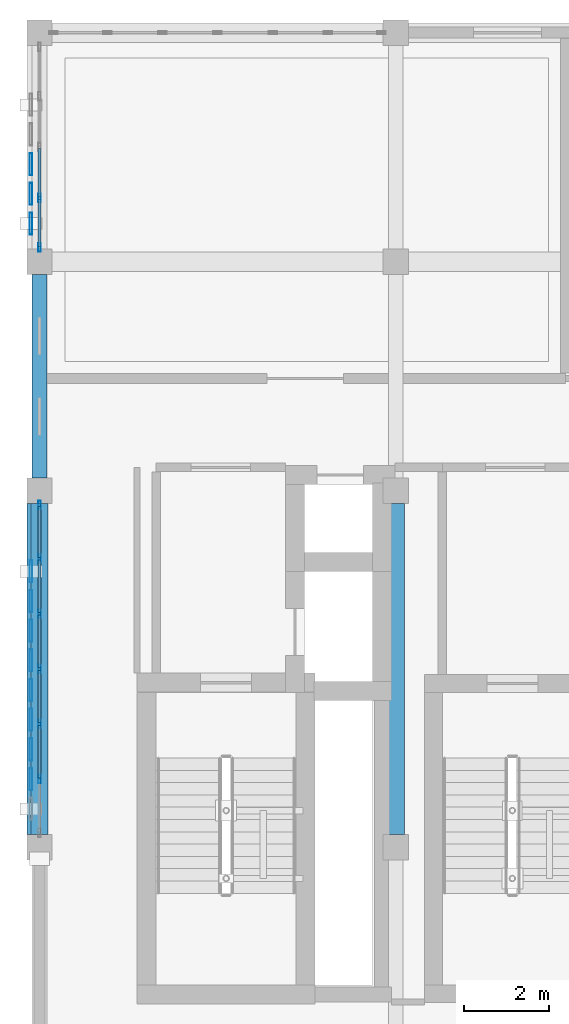
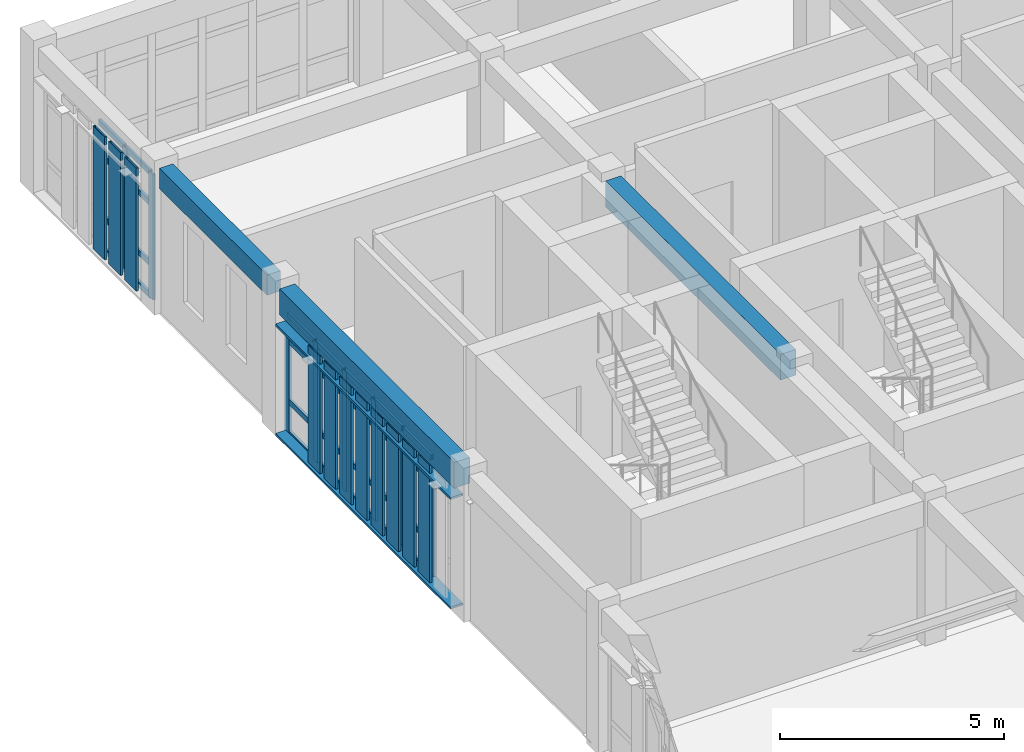
# One storey, part 9 of 21: 49 members, 3 beams, 2 elements without a shape of their own.
"""IFC4 building model written with IfcOpenShell, lengths in metres."""

from ifc_helpers import new_model, si_unit, direction, frame, origin, origin_2d, place, context, subcontext, project, spatial, rectangle, hollow_rectangle, extrude, material, layer, layer_set, material_profile, profile_set, type_object, element, aggregate, save


model = new_model("IFC4")

# Units and contexts
model_context = context("Model", 3, precision=1e-05, world=origin(), true_north=direction((0.0, 1.0)))
body_context = subcontext(model_context, "Body", "Model", "MODEL_VIEW")
ifc_project = project(units=[si_unit("LENGTHUNIT", "METRE"), si_unit("AREAUNIT", "SQUARE_METRE"), si_unit("VOLUMEUNIT", "CUBIC_METRE"), si_unit("PLANEANGLEUNIT", "RADIAN"), si_unit("MASSUNIT", "GRAM", prefix="KILO")], contexts=[model_context])

# Site, building, storey
site_placement = place(None, origin())
site = spatial("IfcSite", under=ifc_project, at=site_placement, CompositionType="ELEMENT")
building_placement = place(site_placement, origin())
building = spatial("IfcBuilding", under=site, at=building_placement, Name="Krzemoval Escarpment Law Courts", CompositionType="ELEMENT")
storey_placement = place(building_placement, frame((0.0, 0.0, 37.800048828125)))
storey = spatial("IfcBuildingStorey", under=building, at=storey_placement, Name="L08", CompositionType="ELEMENT", Elevation=37.800048828125)

# Beams
ifc_material_1 = material(Name="Concrete C40/50", Category="concrete")
ifc_material_profile_1 = material_profile(ifc_material_1, rectangle(XDim=0.35009765625, YDim=0.550048828125, at=origin_2d()), Name="RCB 350x550")
ifc_profile_set_1 = profile_set([ifc_material_profile_1], Name="Concrete C40/50")
beam_type_1 = type_object("IfcBeamType", Name="BM-RC-350x550", PredefinedType="BEAM", material=ifc_profile_set_1)
beam_placement = place(storey_placement, frame((126.0, 108.300048828125, 3.68505859375), z_axis=(0.0, 1.0, 0.0), x_axis=(-1.0, 0.0, 0.0)))
element("IfcBeam", 1, at=beam_placement, inside=storey, type_object=beam_type_1, Name="Beam FG-L08-2762", PredefinedType="BEAM", context=body_context, shape_type="SweptSolid", body=[
    extrude(rectangle(XDim=0.35009765625, YDim=0.550048828125, at=origin_2d()), origin(), (0.0, 0.0, 1.0), 4.800048828125),
])
ifc_material_2 = material(Name="Concrete C40/50", Category="concrete")
ifc_material_profile_2 = material_profile(ifc_material_2, rectangle(XDim=0.39990234375, YDim=0.699951171875, at=origin_2d()), Name="RCB 400x700")
ifc_profile_set_2 = profile_set([ifc_material_profile_2], Name="Concrete C40/50")
beam_type_2 = type_object("IfcBeamType", Name="BM-RC-400x700", PredefinedType="BEAM", material=ifc_profile_set_2)
for number, where, z_axis, x_axis, name in (
    (2, (126.0, 99.89990234375, 3.60986328125), (0.0, 1.0, 0.0), (-1.0, 0.0, 0.0), "Beam FG-L08-2761"),
    (3, (134.39990234375, 99.89990234375, 3.60986328125), (0.0, 1.0, 0.0), (-1.0, 0.0, 0.0), "Beam FG-L08-2766"),
):
    element("IfcBeam", number, at=place(storey_placement, frame(where, z_axis=z_axis, x_axis=x_axis)), inside=storey, type_object=beam_type_2, Name=name, PredefinedType="BEAM", context=body_context, shape_type="SweptSolid", body=[
        extrude(rectangle(XDim=0.39990234375, YDim=0.699951171875, at=origin_2d()), origin(), (0.0, 0.0, 1.0), 7.800048828125),
    ])

# Curtain wall, members
ifc_material_3 = material(Name="Aluminium 6063-T6", Category="aluminium")
ifc_layer = layer(ifc_material_3, 0.219970703125)
ifc_layer_set = layer_set([ifc_layer], Name="Aluminium 6063-T6")
curtain_wall_type = type_object("IfcCurtainWallType", Name="CW-CHMB-4200", PredefinedType="USERDEFINED", material=ifc_layer_set)
curtain_wall_1_placement = place(storey_placement, origin())
curtain_wall_1 = element("IfcCurtainWall", 4, at=curtain_wall_1_placement, inside=storey, type_object=curtain_wall_type, Name="Unitised Curtain Wall FCW-L08-163", ObjectType="UNITISED_CURTAIN_WALL", PredefinedType="USERDEFINED")
ifc_material_4 = material(Name="Aluminium 6063-T6", Category="aluminium")
ifc_material_profile_3 = material_profile(ifc_material_4, hollow_rectangle(XDim=0.06494140625, YDim=0.199951171875, WallThickness=0.00439453125, at=origin_2d()), Name="ALU M65x200")
ifc_profile_set_3 = profile_set([ifc_material_profile_3], Name="Aluminium 6063-T6")
member_type_1 = type_object("IfcMemberType", Name="CWM-65x200", PredefinedType="MULLION", material=ifc_profile_set_3)
member_1_placement = place(storey_placement, frame((126.0, 101.199951171875, 0.0), z_axis=(0.0, 0.0, 1.0), x_axis=(-1.0, 0.0, 0.0)))
member_1 = element("IfcMember", 5, at=member_1_placement, type_object=member_type_1, Name="FCW-L08-163 mullion 2", PredefinedType="MULLION", context=body_context, shape_type="SweptSolid", body=[
    extrude(hollow_rectangle(XDim=0.06494140625, YDim=0.199951171875, WallThickness=0.00439453125, at=origin_2d()), origin(), (0.0, 0.0, 1.0), 3.260009765625),
])
member_2_placement = place(storey_placement, frame((126.0, 102.5, 0.0), z_axis=(0.0, 0.0, 1.0), x_axis=(-1.0, 0.0, 0.0)))
member_2 = element("IfcMember", 6, at=member_2_placement, type_object=member_type_1, Name="FCW-L08-163 mullion 3", PredefinedType="MULLION", context=body_context, shape_type="SweptSolid", body=[
    extrude(hollow_rectangle(XDim=0.06494140625, YDim=0.199951171875, WallThickness=0.00439453125, at=origin_2d()), origin(), (0.0, 0.0, 1.0), 3.260009765625),
])
member_3_placement = place(storey_placement, frame((126.0, 103.800048828125, 0.0), z_axis=(0.0, 0.0, 1.0), x_axis=(-1.0, 0.0, 0.0)))
member_3 = element("IfcMember", 7, at=member_3_placement, type_object=member_type_1, Name="FCW-L08-163 mullion 4", PredefinedType="MULLION", context=body_context, shape_type="SweptSolid", body=[
    extrude(hollow_rectangle(XDim=0.06494140625, YDim=0.199951171875, WallThickness=0.00439453125, at=origin_2d()), origin(), (0.0, 0.0, 1.0), 3.260009765625),
])
member_4_placement = place(storey_placement, frame((126.0, 105.10009765625, 0.0), z_axis=(0.0, 0.0, 1.0), x_axis=(-1.0, 0.0, 0.0)))
member_4 = element("IfcMember", 8, at=member_4_placement, type_object=member_type_1, Name="FCW-L08-163 mullion 5", PredefinedType="MULLION", context=body_context, shape_type="SweptSolid", body=[
    extrude(hollow_rectangle(XDim=0.06494140625, YDim=0.199951171875, WallThickness=0.00439453125, at=origin_2d()), origin(), (0.0, 0.0, 1.0), 3.260009765625),
])
member_5_placement = place(storey_placement, frame((126.0, 106.39990234375, 0.0), z_axis=(0.0, 0.0, 1.0), x_axis=(-1.0, 0.0, 0.0)))
member_5 = element("IfcMember", 9, at=member_5_placement, type_object=member_type_1, Name="FCW-L08-163 mullion 6", PredefinedType="MULLION", context=body_context, shape_type="SweptSolid", body=[
    extrude(hollow_rectangle(XDim=0.06494140625, YDim=0.199951171875, WallThickness=0.00439453125, at=origin_2d()), origin(), (0.0, 0.0, 1.0), 3.260009765625),
])
member_6_placement = place(storey_placement, frame((126.0, 107.66748046875, 0.0), z_axis=(0.0, 0.0, 1.0), x_axis=(-1.0, 0.0, 0.0)))
member_6 = element("IfcMember", 10, at=member_6_placement, type_object=member_type_1, Name="FCW-L08-163 mullion 7", PredefinedType="MULLION", context=body_context, shape_type="SweptSolid", body=[
    extrude(hollow_rectangle(XDim=0.06494140625, YDim=0.199951171875, WallThickness=0.00439453125, at=origin_2d()), origin(), (0.0, 0.0, 1.0), 3.260009765625),
])

curtain_wall_2_placement = place(storey_placement, origin())
curtain_wall_2 = element("IfcCurtainWall", 11, at=curtain_wall_2_placement, inside=storey, type_object=curtain_wall_type, Name="Unitised Curtain Wall FCW-L08-164", ObjectType="UNITISED_CURTAIN_WALL", PredefinedType="USERDEFINED")
member_7_placement = place(storey_placement, frame((126.0, 113.732421875, 0.0), z_axis=(0.0, 0.0, 1.0), x_axis=(-1.0, 0.0, 0.0)))
member_7 = element("IfcMember", 12, at=member_7_placement, type_object=member_type_1, Name="FCW-L08-164 mullion 1", PredefinedType="MULLION", context=body_context, shape_type="SweptSolid", body=[
    extrude(hollow_rectangle(XDim=0.06494140625, YDim=0.199951171875, WallThickness=0.00439453125, at=origin_2d()), origin(), (0.0, 0.0, 1.0), 3.409912109375),
])
member_8_placement = place(storey_placement, frame((126.0, 114.89990234375, 0.0), z_axis=(0.0, 0.0, 1.0), x_axis=(-1.0, 0.0, 0.0)))
member_8 = element("IfcMember", 13, at=member_8_placement, type_object=member_type_1, Name="FCW-L08-164 mullion 2", PredefinedType="MULLION", context=body_context, shape_type="SweptSolid", body=[
    extrude(hollow_rectangle(XDim=0.06494140625, YDim=0.199951171875, WallThickness=0.00439453125, at=origin_2d()), origin(), (0.0, 0.0, 1.0), 3.409912109375),
])

# Member
ifc_material_5 = material(Name="Aluminium 6063-T6", Category="aluminium")
ifc_material_profile_4 = material_profile(ifc_material_5, hollow_rectangle(XDim=0.06494140625, YDim=0.14990234375, WallThickness=0.00439453125, at=origin_2d()), Name="ALU T65x150")
ifc_profile_set_4 = profile_set([ifc_material_profile_4], Name="Aluminium 6063-T6")
member_type_2 = type_object("IfcMemberType", Name="CWT-65x150", PredefinedType="USERDEFINED", material=ifc_profile_set_4)
member_9_placement = place(storey_placement, frame((126.0, 101.232421875, 0.032470703125), z_axis=(0.0, 1.0, 0.0), x_axis=(-1.0, 0.0, 0.0)))
member_9 = element("IfcMember", 14, at=member_9_placement, type_object=member_type_2, Name="FCW-L08-163 transom 2.1", ObjectType="TRANSOM", PredefinedType="USERDEFINED", context=body_context, shape_type="SweptSolid", body=[
    extrude(hollow_rectangle(XDim=0.06494140625, YDim=0.14990234375, WallThickness=0.00439453125, at=origin_2d()), origin(), (0.0, 0.0, 1.0), 1.235107421875),
])

member_10_placement = place(storey_placement, frame((126.0, 101.232421875, 0.89990234375), z_axis=(0.0, 1.0, 0.0), x_axis=(-1.0, 0.0, 0.0)))
member_10 = element("IfcMember", 15, at=member_10_placement, type_object=member_type_2, Name="FCW-L08-163 transom 2.2", ObjectType="TRANSOM", PredefinedType="USERDEFINED", context=body_context, shape_type="SweptSolid", body=[
    extrude(hollow_rectangle(XDim=0.06494140625, YDim=0.14990234375, WallThickness=0.00439453125, at=origin_2d()), origin(), (0.0, 0.0, 1.0), 1.235107421875),
])

member_11_placement = place(storey_placement, frame((126.0, 101.232421875, 2.550048828125), z_axis=(0.0, 1.0, 0.0), x_axis=(-1.0, 0.0, 0.0)))
member_11 = element("IfcMember", 16, at=member_11_placement, type_object=member_type_2, Name="FCW-L08-163 transom 2.3", ObjectType="TRANSOM", PredefinedType="USERDEFINED", context=body_context, shape_type="SweptSolid", body=[
    extrude(hollow_rectangle(XDim=0.06494140625, YDim=0.14990234375, WallThickness=0.00439453125, at=origin_2d()), origin(), (0.0, 0.0, 1.0), 1.235107421875),
])

member_12_placement = place(storey_placement, frame((126.0, 101.232421875, 3.2275390625), z_axis=(0.0, 1.0, 0.0), x_axis=(-1.0, 0.0, 0.0)))
member_12 = element("IfcMember", 17, at=member_12_placement, type_object=member_type_2, Name="FCW-L08-163 transom 2.4", ObjectType="TRANSOM", PredefinedType="USERDEFINED", context=body_context, shape_type="SweptSolid", body=[
    extrude(hollow_rectangle(XDim=0.06494140625, YDim=0.14990234375, WallThickness=0.00439453125, at=origin_2d()), origin(), (0.0, 0.0, 1.0), 1.235107421875),
])

member_13_placement = place(storey_placement, frame((126.0, 102.532470703125, 0.032470703125), z_axis=(0.0, 1.0, 0.0), x_axis=(-1.0, 0.0, 0.0)))
member_13 = element("IfcMember", 18, at=member_13_placement, type_object=member_type_2, Name="FCW-L08-163 transom 3.1", ObjectType="TRANSOM", PredefinedType="USERDEFINED", context=body_context, shape_type="SweptSolid", body=[
    extrude(hollow_rectangle(XDim=0.06494140625, YDim=0.14990234375, WallThickness=0.00439453125, at=origin_2d()), origin(), (0.0, 0.0, 1.0), 1.235107421875),
])

member_14_placement = place(storey_placement, frame((126.0, 102.532470703125, 0.89990234375), z_axis=(0.0, 1.0, 0.0), x_axis=(-1.0, 0.0, 0.0)))
member_14 = element("IfcMember", 19, at=member_14_placement, type_object=member_type_2, Name="FCW-L08-163 transom 3.2", ObjectType="TRANSOM", PredefinedType="USERDEFINED", context=body_context, shape_type="SweptSolid", body=[
    extrude(hollow_rectangle(XDim=0.06494140625, YDim=0.14990234375, WallThickness=0.00439453125, at=origin_2d()), origin(), (0.0, 0.0, 1.0), 1.235107421875),
])

member_15_placement = place(storey_placement, frame((126.0, 102.532470703125, 2.550048828125), z_axis=(0.0, 1.0, 0.0), x_axis=(-1.0, 0.0, 0.0)))
member_15 = element("IfcMember", 20, at=member_15_placement, type_object=member_type_2, Name="FCW-L08-163 transom 3.3", ObjectType="TRANSOM", PredefinedType="USERDEFINED", context=body_context, shape_type="SweptSolid", body=[
    extrude(hollow_rectangle(XDim=0.06494140625, YDim=0.14990234375, WallThickness=0.00439453125, at=origin_2d()), origin(), (0.0, 0.0, 1.0), 1.235107421875),
])

member_16_placement = place(storey_placement, frame((126.0, 102.532470703125, 3.2275390625), z_axis=(0.0, 1.0, 0.0), x_axis=(-1.0, 0.0, 0.0)))
member_16 = element("IfcMember", 21, at=member_16_placement, type_object=member_type_2, Name="FCW-L08-163 transom 3.4", ObjectType="TRANSOM", PredefinedType="USERDEFINED", context=body_context, shape_type="SweptSolid", body=[
    extrude(hollow_rectangle(XDim=0.06494140625, YDim=0.14990234375, WallThickness=0.00439453125, at=origin_2d()), origin(), (0.0, 0.0, 1.0), 1.235107421875),
])

member_17_placement = place(storey_placement, frame((126.0, 103.83251953125, 0.032470703125), z_axis=(0.0, 1.0, 0.0), x_axis=(-1.0, 0.0, 0.0)))
member_17 = element("IfcMember", 22, at=member_17_placement, type_object=member_type_2, Name="FCW-L08-163 transom 4.1", ObjectType="TRANSOM", PredefinedType="USERDEFINED", context=body_context, shape_type="SweptSolid", body=[
    extrude(hollow_rectangle(XDim=0.06494140625, YDim=0.14990234375, WallThickness=0.00439453125, at=origin_2d()), origin(), (0.0, 0.0, 1.0), 1.23486328125),
])

member_18_placement = place(storey_placement, frame((126.0, 103.83251953125, 0.89990234375), z_axis=(0.0, 1.0, 0.0), x_axis=(-1.0, 0.0, 0.0)))
member_18 = element("IfcMember", 23, at=member_18_placement, type_object=member_type_2, Name="FCW-L08-163 transom 4.2", ObjectType="TRANSOM", PredefinedType="USERDEFINED", context=body_context, shape_type="SweptSolid", body=[
    extrude(hollow_rectangle(XDim=0.06494140625, YDim=0.14990234375, WallThickness=0.00439453125, at=origin_2d()), origin(), (0.0, 0.0, 1.0), 1.23486328125),
])

member_19_placement = place(storey_placement, frame((126.0, 103.83251953125, 2.550048828125), z_axis=(0.0, 1.0, 0.0), x_axis=(-1.0, 0.0, 0.0)))
member_19 = element("IfcMember", 24, at=member_19_placement, type_object=member_type_2, Name="FCW-L08-163 transom 4.3", ObjectType="TRANSOM", PredefinedType="USERDEFINED", context=body_context, shape_type="SweptSolid", body=[
    extrude(hollow_rectangle(XDim=0.06494140625, YDim=0.14990234375, WallThickness=0.00439453125, at=origin_2d()), origin(), (0.0, 0.0, 1.0), 1.23486328125),
])

member_20_placement = place(storey_placement, frame((126.0, 103.83251953125, 3.2275390625), z_axis=(0.0, 1.0, 0.0), x_axis=(-1.0, 0.0, 0.0)))
member_20 = element("IfcMember", 25, at=member_20_placement, type_object=member_type_2, Name="FCW-L08-163 transom 4.4", ObjectType="TRANSOM", PredefinedType="USERDEFINED", context=body_context, shape_type="SweptSolid", body=[
    extrude(hollow_rectangle(XDim=0.06494140625, YDim=0.14990234375, WallThickness=0.00439453125, at=origin_2d()), origin(), (0.0, 0.0, 1.0), 1.23486328125),
])

member_21_placement = place(storey_placement, frame((126.0, 105.132568359375, 0.032470703125), z_axis=(0.0, 1.0, 0.0), x_axis=(-1.0, 0.0, 0.0)))
member_21 = element("IfcMember", 26, at=member_21_placement, type_object=member_type_2, Name="FCW-L08-163 transom 5.1", ObjectType="TRANSOM", PredefinedType="USERDEFINED", context=body_context, shape_type="SweptSolid", body=[
    extrude(hollow_rectangle(XDim=0.06494140625, YDim=0.14990234375, WallThickness=0.00439453125, at=origin_2d()), origin(), (0.0, 0.0, 1.0), 1.23486328125),
])

member_22_placement = place(storey_placement, frame((126.0, 105.132568359375, 0.89990234375), z_axis=(0.0, 1.0, 0.0), x_axis=(-1.0, 0.0, 0.0)))
member_22 = element("IfcMember", 27, at=member_22_placement, type_object=member_type_2, Name="FCW-L08-163 transom 5.2", ObjectType="TRANSOM", PredefinedType="USERDEFINED", context=body_context, shape_type="SweptSolid", body=[
    extrude(hollow_rectangle(XDim=0.06494140625, YDim=0.14990234375, WallThickness=0.00439453125, at=origin_2d()), origin(), (0.0, 0.0, 1.0), 1.23486328125),
])

member_23_placement = place(storey_placement, frame((126.0, 105.132568359375, 2.550048828125), z_axis=(0.0, 1.0, 0.0), x_axis=(-1.0, 0.0, 0.0)))
member_23 = element("IfcMember", 28, at=member_23_placement, type_object=member_type_2, Name="FCW-L08-163 transom 5.3", ObjectType="TRANSOM", PredefinedType="USERDEFINED", context=body_context, shape_type="SweptSolid", body=[
    extrude(hollow_rectangle(XDim=0.06494140625, YDim=0.14990234375, WallThickness=0.00439453125, at=origin_2d()), origin(), (0.0, 0.0, 1.0), 1.23486328125),
])

member_24_placement = place(storey_placement, frame((126.0, 105.132568359375, 3.2275390625), z_axis=(0.0, 1.0, 0.0), x_axis=(-1.0, 0.0, 0.0)))
member_24 = element("IfcMember", 29, at=member_24_placement, type_object=member_type_2, Name="FCW-L08-163 transom 5.4", ObjectType="TRANSOM", PredefinedType="USERDEFINED", context=body_context, shape_type="SweptSolid", body=[
    extrude(hollow_rectangle(XDim=0.06494140625, YDim=0.14990234375, WallThickness=0.00439453125, at=origin_2d()), origin(), (0.0, 0.0, 1.0), 1.23486328125),
])

member_25_placement = place(storey_placement, frame((126.0, 106.4326171875, 0.032470703125), z_axis=(0.0, 1.0, 0.0), x_axis=(-1.0, 0.0, 0.0)))
member_25 = element("IfcMember", 30, at=member_25_placement, type_object=member_type_2, Name="FCW-L08-163 transom 6.1", ObjectType="TRANSOM", PredefinedType="USERDEFINED", context=body_context, shape_type="SweptSolid", body=[
    extrude(hollow_rectangle(XDim=0.06494140625, YDim=0.14990234375, WallThickness=0.00439453125, at=origin_2d()), origin(), (0.0, 0.0, 1.0), 1.202392578125),
])

member_26_placement = place(storey_placement, frame((126.0, 106.4326171875, 0.89990234375), z_axis=(0.0, 1.0, 0.0), x_axis=(-1.0, 0.0, 0.0)))
member_26 = element("IfcMember", 31, at=member_26_placement, type_object=member_type_2, Name="FCW-L08-163 transom 6.2", ObjectType="TRANSOM", PredefinedType="USERDEFINED", context=body_context, shape_type="SweptSolid", body=[
    extrude(hollow_rectangle(XDim=0.06494140625, YDim=0.14990234375, WallThickness=0.00439453125, at=origin_2d()), origin(), (0.0, 0.0, 1.0), 1.202392578125),
])

member_27_placement = place(storey_placement, frame((126.0, 106.4326171875, 2.550048828125), z_axis=(0.0, 1.0, 0.0), x_axis=(-1.0, 0.0, 0.0)))
member_27 = element("IfcMember", 32, at=member_27_placement, type_object=member_type_2, Name="FCW-L08-163 transom 6.3", ObjectType="TRANSOM", PredefinedType="USERDEFINED", context=body_context, shape_type="SweptSolid", body=[
    extrude(hollow_rectangle(XDim=0.06494140625, YDim=0.14990234375, WallThickness=0.00439453125, at=origin_2d()), origin(), (0.0, 0.0, 1.0), 1.202392578125),
])

member_28_placement = place(storey_placement, frame((126.0, 106.4326171875, 3.2275390625), z_axis=(0.0, 1.0, 0.0), x_axis=(-1.0, 0.0, 0.0)))
member_28 = element("IfcMember", 33, at=member_28_placement, type_object=member_type_2, Name="FCW-L08-163 transom 6.4", ObjectType="TRANSOM", PredefinedType="USERDEFINED", context=body_context, shape_type="SweptSolid", body=[
    extrude(hollow_rectangle(XDim=0.06494140625, YDim=0.14990234375, WallThickness=0.00439453125, at=origin_2d()), origin(), (0.0, 0.0, 1.0), 1.202392578125),
])

aggregate(curtain_wall_1, [member_1, member_2, member_3, member_4, member_5, member_6, member_9, member_10, member_11, member_12, member_13, member_14, member_15, member_16, member_17, member_18, member_19, member_20, member_21, member_22, member_23, member_24, member_25, member_26, member_27, member_28])

member_29_placement = place(storey_placement, frame((126.0, 113.764892578125, 0.032470703125), z_axis=(0.0, 1.0, 0.0), x_axis=(-1.0, 0.0, 0.0)))
member_29 = element("IfcMember", 34, at=member_29_placement, type_object=member_type_2, Name="FCW-L08-164 transom 1.1", ObjectType="TRANSOM", PredefinedType="USERDEFINED", context=body_context, shape_type="SweptSolid", body=[
    extrude(hollow_rectangle(XDim=0.06494140625, YDim=0.14990234375, WallThickness=0.00439453125, at=origin_2d()), origin(), (0.0, 0.0, 1.0), 1.1025390625),
])

member_30_placement = place(storey_placement, frame((126.0, 113.764892578125, 0.89990234375), z_axis=(0.0, 1.0, 0.0), x_axis=(-1.0, 0.0, 0.0)))
member_30 = element("IfcMember", 35, at=member_30_placement, type_object=member_type_2, Name="FCW-L08-164 transom 1.2", ObjectType="TRANSOM", PredefinedType="USERDEFINED", context=body_context, shape_type="SweptSolid", body=[
    extrude(hollow_rectangle(XDim=0.06494140625, YDim=0.14990234375, WallThickness=0.00439453125, at=origin_2d()), origin(), (0.0, 0.0, 1.0), 1.1025390625),
])

member_31_placement = place(storey_placement, frame((126.0, 113.764892578125, 2.550048828125), z_axis=(0.0, 1.0, 0.0), x_axis=(-1.0, 0.0, 0.0)))
member_31 = element("IfcMember", 36, at=member_31_placement, type_object=member_type_2, Name="FCW-L08-164 transom 1.3", ObjectType="TRANSOM", PredefinedType="USERDEFINED", context=body_context, shape_type="SweptSolid", body=[
    extrude(hollow_rectangle(XDim=0.06494140625, YDim=0.14990234375, WallThickness=0.00439453125, at=origin_2d()), origin(), (0.0, 0.0, 1.0), 1.1025390625),
])

member_32_placement = place(storey_placement, frame((126.0, 113.764892578125, 3.37744140625), z_axis=(0.0, 1.0, 0.0), x_axis=(-1.0, 0.0, 0.0)))
member_32 = element("IfcMember", 37, at=member_32_placement, type_object=member_type_2, Name="FCW-L08-164 transom 1.4", ObjectType="TRANSOM", PredefinedType="USERDEFINED", context=body_context, shape_type="SweptSolid", body=[
    extrude(hollow_rectangle(XDim=0.06494140625, YDim=0.14990234375, WallThickness=0.00439453125, at=origin_2d()), origin(), (0.0, 0.0, 1.0), 1.1025390625),
])

member_33_placement = place(storey_placement, frame((126.0, 114.9326171875, 0.032470703125), z_axis=(0.0, 1.0, 0.0), x_axis=(-1.0, 0.0, 0.0)))
member_33 = element("IfcMember", 38, at=member_33_placement, type_object=member_type_2, Name="FCW-L08-164 transom 2.1", ObjectType="TRANSOM", PredefinedType="USERDEFINED", context=body_context, shape_type="SweptSolid", body=[
    extrude(hollow_rectangle(XDim=0.06494140625, YDim=0.14990234375, WallThickness=0.00439453125, at=origin_2d()), origin(), (0.0, 0.0, 1.0), 1.134765625),
])

member_34_placement = place(storey_placement, frame((126.0, 114.9326171875, 0.89990234375), z_axis=(0.0, 1.0, 0.0), x_axis=(-1.0, 0.0, 0.0)))
member_34 = element("IfcMember", 39, at=member_34_placement, type_object=member_type_2, Name="FCW-L08-164 transom 2.2", ObjectType="TRANSOM", PredefinedType="USERDEFINED", context=body_context, shape_type="SweptSolid", body=[
    extrude(hollow_rectangle(XDim=0.06494140625, YDim=0.14990234375, WallThickness=0.00439453125, at=origin_2d()), origin(), (0.0, 0.0, 1.0), 1.134765625),
])

member_35_placement = place(storey_placement, frame((126.0, 114.9326171875, 2.550048828125), z_axis=(0.0, 1.0, 0.0), x_axis=(-1.0, 0.0, 0.0)))
member_35 = element("IfcMember", 40, at=member_35_placement, type_object=member_type_2, Name="FCW-L08-164 transom 2.3", ObjectType="TRANSOM", PredefinedType="USERDEFINED", context=body_context, shape_type="SweptSolid", body=[
    extrude(hollow_rectangle(XDim=0.06494140625, YDim=0.14990234375, WallThickness=0.00439453125, at=origin_2d()), origin(), (0.0, 0.0, 1.0), 1.134765625),
])

member_36_placement = place(storey_placement, frame((126.0, 114.9326171875, 3.37744140625), z_axis=(0.0, 1.0, 0.0), x_axis=(-1.0, 0.0, 0.0)))
member_36 = element("IfcMember", 41, at=member_36_placement, type_object=member_type_2, Name="FCW-L08-164 transom 2.4", ObjectType="TRANSOM", PredefinedType="USERDEFINED", context=body_context, shape_type="SweptSolid", body=[
    extrude(hollow_rectangle(XDim=0.06494140625, YDim=0.14990234375, WallThickness=0.00439453125, at=origin_2d()), origin(), (0.0, 0.0, 1.0), 1.134765625),
])

aggregate(curtain_wall_2, [member_7, member_8, member_29, member_30, member_31, member_32, member_33, member_34, member_35, member_36])

# Members
ifc_material_6 = material(Name="Anodised Aluminium Alloy 6063-T6", Category="aluminium")
ifc_material_profile_5 = material_profile(ifc_material_6, hollow_rectangle(XDim=0.06005859375, YDim=0.320068359375, WallThickness=0.00390625, at=origin_2d()), Name="ALU LVR 60x320")
ifc_profile_set_5 = profile_set([ifc_material_profile_5], Name="Anodised Aluminium Alloy 6063-T6")
member_type_3 = type_object("IfcMemberType", Name="LVR-ALU-320", PredefinedType="USERDEFINED", material=ifc_profile_set_5)
for number, where, z_axis, x_axis, name in (
    (42, (125.860107421875, 99.89990234375, 0.030029296875), (0.0, 1.0, 0.0), (0.0, 0.0, 1.0), "Sunshade Support Rail FSR-L08-1078"),
    (43, (125.860107421875, 99.89990234375, 3.010009765625), (0.0, 1.0, 0.0), (0.0, 0.0, 1.0), "Sunshade Support Rail FSR-L08-1079"),
):
    element("IfcMember", number, at=place(storey_placement, frame(where, z_axis=z_axis, x_axis=x_axis)), inside=storey, type_object=member_type_3, Name=name, ObjectType="SUNSHADE_LOUVRE", PredefinedType="USERDEFINED", context=body_context, shape_type="SweptSolid", body=[
        extrude(hollow_rectangle(XDim=0.06005859375, YDim=0.320068359375, WallThickness=0.00390625, at=origin_2d()), origin(), (0.0, 0.0, 1.0), 7.800048828125),
    ])
ifc_material_7 = material(Name="Anodised Aluminium Alloy 6063-T6", Category="aluminium")
ifc_material_profile_6 = material_profile(ifc_material_7, hollow_rectangle(XDim=0.06494140625, YDim=0.52001953125, WallThickness=0.00439453125, at=origin_2d()), Name="ALU LVR 65x520")
ifc_profile_set_6 = profile_set([ifc_material_profile_6], Name="Anodised Aluminium Alloy 6063-T6")
member_type_4 = type_object("IfcMemberType", Name="LVR-ALU-520", PredefinedType="USERDEFINED", material=ifc_profile_set_6)
for number, where, z_axis, x_axis, name in (
    (44, (125.800048828125, 101.199951171875, 0.06005859375), (0.0, 0.0, 1.0), (1.0, 0.0, 0.0), "Sunshade Louvre Fin FLV-L08-1081"),
    (45, (125.800048828125, 101.89990234375, 0.06005859375), (0.0, 0.0, 1.0), (1.0, 0.0, 0.0), "Sunshade Louvre Fin FLV-L08-1082"),
    (46, (125.800048828125, 102.60009765625, 0.06005859375), (0.0, 0.0, 1.0), (1.0, 0.0, 0.0), "Sunshade Louvre Fin FLV-L08-1083"),
    (47, (125.800048828125, 103.300048828125, 0.06005859375), (0.0, 0.0, 1.0), (1.0, 0.0, 0.0), "Sunshade Louvre Fin FLV-L08-1084"),
    (48, (125.800048828125, 104.0, 0.06005859375), (0.0, 0.0, 1.0), (1.0, 0.0, 0.0), "Sunshade Louvre Fin FLV-L08-1085"),
    (49, (125.800048828125, 104.699951171875, 0.06005859375), (0.0, 0.0, 1.0), (1.0, 0.0, 0.0), "Sunshade Louvre Fin FLV-L08-1086"),
    (50, (125.800048828125, 105.39990234375, 0.06005859375), (0.0, 0.0, 1.0), (1.0, 0.0, 0.0), "Sunshade Louvre Fin FLV-L08-1087"),
    (51, (125.800048828125, 106.10009765625, 0.06005859375), (0.0, 0.0, 1.0), (1.0, 0.0, 0.0), "Sunshade Louvre Fin FLV-L08-1088"),
):
    element("IfcMember", number, at=place(storey_placement, frame(where, z_axis=z_axis, x_axis=x_axis)), inside=storey, type_object=member_type_4, Name=name, ObjectType="SUNSHADE_LOUVRE", PredefinedType="USERDEFINED", context=body_context, shape_type="SweptSolid", body=[
        extrude(hollow_rectangle(XDim=0.06494140625, YDim=0.52001953125, WallThickness=0.00439453125, at=origin_2d()), origin(), (0.0, 0.0, 1.0), 3.199951171875),
    ])
for number, where, z_axis, x_axis, name in (
    (52, (125.800048828125, 114.300048828125, 0.06005859375), (0.0, 0.0, 1.0), (1.0, 0.0, 0.0), "Sunshade Louvre Fin FLV-L08-1091"),
    (53, (125.800048828125, 115.0, 0.06005859375), (0.0, 0.0, 1.0), (1.0, 0.0, 0.0), "Sunshade Louvre Fin FLV-L08-1092"),
    (54, (125.800048828125, 115.699951171875, 0.06005859375), (0.0, 0.0, 1.0), (1.0, 0.0, 0.0), "Sunshade Louvre Fin FLV-L08-1093"),
):
    element("IfcMember", number, at=place(storey_placement, frame(where, z_axis=z_axis, x_axis=x_axis)), inside=storey, type_object=member_type_4, Name=name, ObjectType="SUNSHADE_LOUVRE", PredefinedType="USERDEFINED", context=body_context, shape_type="SweptSolid", body=[
        extrude(hollow_rectangle(XDim=0.06494140625, YDim=0.52001953125, WallThickness=0.00439453125, at=origin_2d()), origin(), (0.0, 0.0, 1.0), 3.349853515625),
    ])

save(model, "model.ifc")
